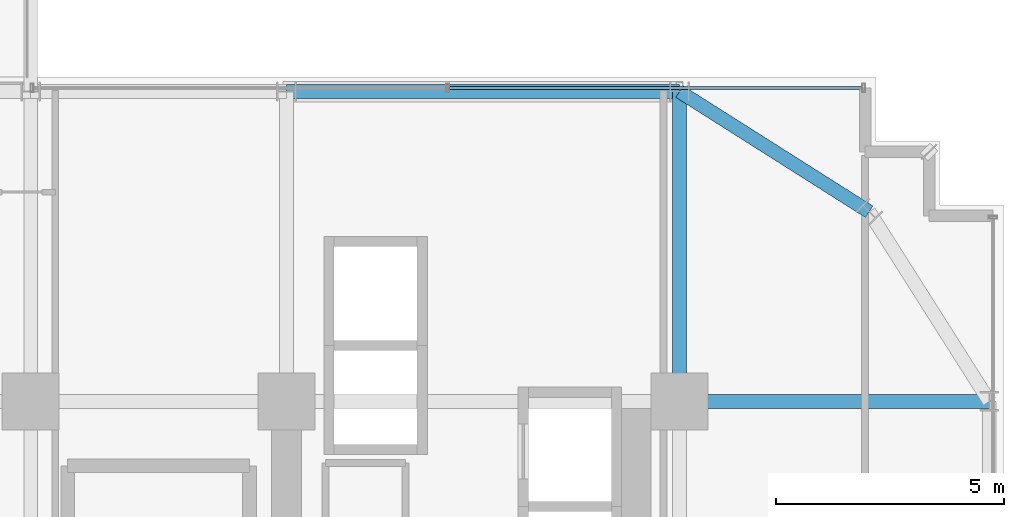
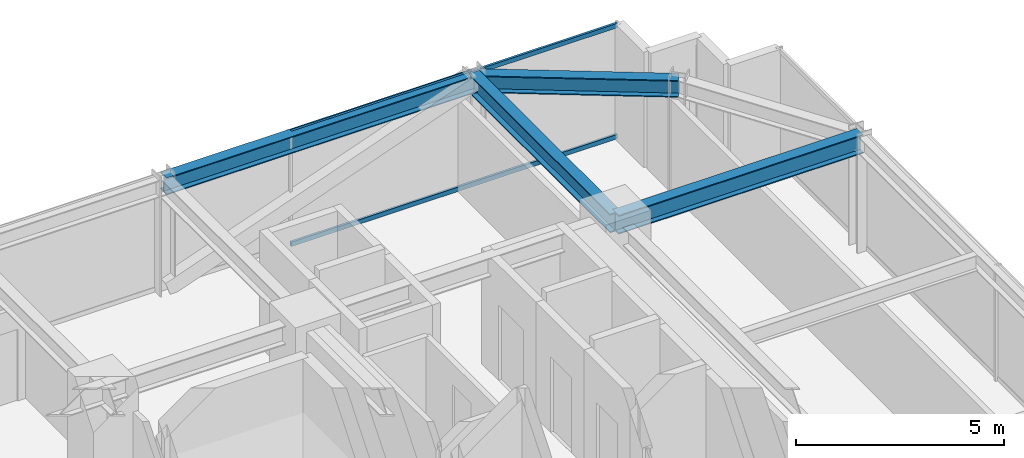
# One storey, part 23 of 39: 4 beams, 2 members, 1 element without a shape of its own.
"""IFC4 building model written with IfcOpenShell, lengths in metres."""

from ifc_helpers import new_model, si_unit, direction, frame, origin, origin_2d, place, context, subcontext, project, spatial, hollow_rectangle, i_section, extrude, source, transform, mapped, material, material_profile, profile_set, type_object, element, aggregate, save


model = new_model("IFC4")

# Units and contexts
model_context = context("Model", 3, precision=1e-05, world=origin(), true_north=direction((0.0, 1.0)))
body_context = subcontext(model_context, "Body", "Model", "MODEL_VIEW")
ifc_project = project(units=[si_unit("LENGTHUNIT", "METRE"), si_unit("AREAUNIT", "SQUARE_METRE"), si_unit("VOLUMEUNIT", "CUBIC_METRE"), si_unit("PLANEANGLEUNIT", "RADIAN"), si_unit("MASSUNIT", "GRAM", prefix="KILO")], contexts=[model_context])

# Site, building, storey
site_placement = place(None, origin())
site = spatial("IfcSite", under=ifc_project, at=site_placement, CompositionType="ELEMENT")
building_placement = place(site_placement, origin())
building = spatial("IfcBuilding", under=site, at=building_placement, Name="Nahalor Promenade Grand Hotel", CompositionType="ELEMENT")
storey_placement = place(building_placement, frame((0.0, 0.0, 135.75)))
storey = spatial("IfcBuildingStorey", under=building, at=storey_placement, Name="L34", CompositionType="ELEMENT", Elevation=135.75)

# Beams
ifc_material_1 = material(Name="Steel S355JR", Category="steel")
ifc_material_profile_1 = material_profile(ifc_material_1, i_section(OverallWidth=0.3, OverallDepth=0.5, WebThickness=0.0145, FlangeThickness=0.028, at=origin_2d()), Name="HEB 500")
ifc_profile_set_1 = profile_set([ifc_material_profile_1], Name="Steel S355JR")
beam_type_1 = type_object("IfcBeamType", Name="Beam-Spandrel-HEB500", PredefinedType="SPANDREL", material=ifc_profile_set_1)
shared_shape_1 = source(origin(), body_context, "Body", "SweptSolid", [
    extrude(i_section(OverallWidth=0.3, OverallDepth=0.5, WebThickness=0.0145, FlangeThickness=0.028, at=origin_2d()), origin(), (0.0, 0.0, 1.0), 8.60009765625),
])
beam_1_placement = place(storey_placement, frame((8.39990234375, 23.780029296875, 3.1298828125), z_axis=(1.0, 0.0, 0.0), x_axis=(0.0, 1.0, 0.0)))
element("IfcBeam", 1, at=beam_1_placement, inside=storey, type_object=beam_type_1, Name="BM-L34-SP-N-4", PredefinedType="SPANDREL", context=body_context, shape_type="MappedRepresentation", body=[
    mapped(shared_shape_1, transform((0.0, 0.0, 0.0), scale=1.0)),
])
shared_shape_2 = source(origin(), body_context, "Body", "SweptSolid", [
    extrude(i_section(OverallWidth=0.3, OverallDepth=0.5, WebThickness=0.0145, FlangeThickness=0.028, at=origin_2d()), origin(), (0.0, 0.0, 1.0), 4.9130859375),
])
beam_2_placement = place(storey_placement, frame((17.0, 23.780029296875, 3.1298828125), z_axis=(0.844648325505, -0.535321591403, 0.0), x_axis=(0.535321591403, 0.844648325505, 0.0)))
element("IfcBeam", 2, at=beam_2_placement, inside=storey, type_object=beam_type_1, Name="BM-L34-SPC-NE-1", PredefinedType="SPANDREL", context=body_context, shape_type="MappedRepresentation", body=[
    mapped(shared_shape_2, transform((0.0, 0.0, 0.0), scale=1.0)),
])
ifc_material_profile_2 = material_profile(ifc_material_1, i_section(OverallWidth=0.3, OverallDepth=0.55, WebThickness=0.015, FlangeThickness=0.029, at=origin_2d()), Name="HEB 550")
ifc_profile_set_2 = profile_set([ifc_material_profile_2], Name="Steel S355JR")
beam_type_2 = type_object("IfcBeamType", Name="Beam-Girder-HEB550", PredefinedType="BEAM", material=ifc_profile_set_2)
shared_shape_3 = source(origin(), body_context, "Body", "SweptSolid", [
    extrude(i_section(OverallWidth=0.3, OverallDepth=0.55, WebThickness=0.015, FlangeThickness=0.029, at=origin_2d()), origin(), (0.0, 0.0, 1.0), 6.780029296875),
])
for number, where, z_axis, x_axis, name in (
    (3, (17.0, 17.0, 3.10498046875), (1.0, 0.0, 0.0), (0.0, 1.0, 0.0), "BM-L34-GX-3-6"),
    (4, (17.0, 17.0, 3.10498046875), (0.0, 1.0, 0.0), (-1.0, 0.0, 0.0), "BM-L34-GY-5-4"),
):
    element("IfcBeam", number, at=place(storey_placement, frame(where, z_axis=z_axis, x_axis=x_axis)), inside=storey, type_object=beam_type_2, Name=name, PredefinedType="BEAM", context=body_context, shape_type="MappedRepresentation", body=[
        mapped(shared_shape_3, transform((0.0, 0.0, 0.0), scale=1.0)),
    ])

# Curtain wall, members
ifc_material_2 = material(Name="Anodised Bronze Aluminium EN AW-6063 T6", Category="aluminium")
curtain_wall_type = type_object("IfcCurtainWallType", Name="CW2 Typical Hotel Flush Bronze Unitised Curtain Wall", PredefinedType="USERDEFINED", material=ifc_material_2)
curtain_wall_placement = place(storey_placement, origin())
curtain_wall = element("IfcCurtainWall", 5, at=curtain_wall_placement, inside=storey, type_object=curtain_wall_type, Name="L34 Curtain Wall CW-L34-N-3", ObjectType="UNITISED_CURTAIN_WALL", PredefinedType="USERDEFINED")
ifc_material_profile_3 = material_profile(ifc_material_2, hollow_rectangle(XDim=0.065, YDim=0.13, WallThickness=0.004, at=origin_2d()), Name="CWT 65x130x4")
ifc_profile_set_3 = profile_set([ifc_material_profile_3], Name="Anodised Bronze Aluminium EN AW-6063 T6")
member_type = type_object("IfcMemberType", Name="CWT2 Typical Bronze Transom 65x130", PredefinedType="USERDEFINED", material=ifc_profile_set_3)
shared_shape_4 = source(origin(), body_context, "Body", "SweptSolid", [
    extrude(hollow_rectangle(XDim=0.065, YDim=0.13, WallThickness=0.004, at=origin_2d()), origin(), (0.0, 0.0, 1.0), 9.03271484375),
])
member_1_placement = place(storey_placement, frame((11.96240234375, 23.860107421875, 0.06494140625), z_axis=(1.0, 0.0, 0.0), x_axis=(0.0, 1.0, 0.0)))
member_1 = element("IfcMember", 6, at=member_1_placement, type_object=member_type, Name="CW-L34-N-3 Transom 1-0", ObjectType="TRANSOM", PredefinedType="USERDEFINED", context=body_context, shape_type="MappedRepresentation", body=[
    mapped(shared_shape_4, transform((0.0, 0.0, 0.0), scale=1.0)),
])
member_2_placement = place(storey_placement, frame((11.96240234375, 23.860107421875, 3.31494140625), z_axis=(1.0, 0.0, 0.0), x_axis=(0.0, 1.0, 0.0)))
member_2 = element("IfcMember", 7, at=member_2_placement, type_object=member_type, Name="CW-L34-N-3 Transom 1-1", ObjectType="TRANSOM", PredefinedType="USERDEFINED", context=body_context, shape_type="MappedRepresentation", body=[
    mapped(shared_shape_4, transform((0.0, 0.0, 0.0), scale=1.0)),
])
aggregate(curtain_wall, [member_1, member_2])

save(model, "model.ifc")
